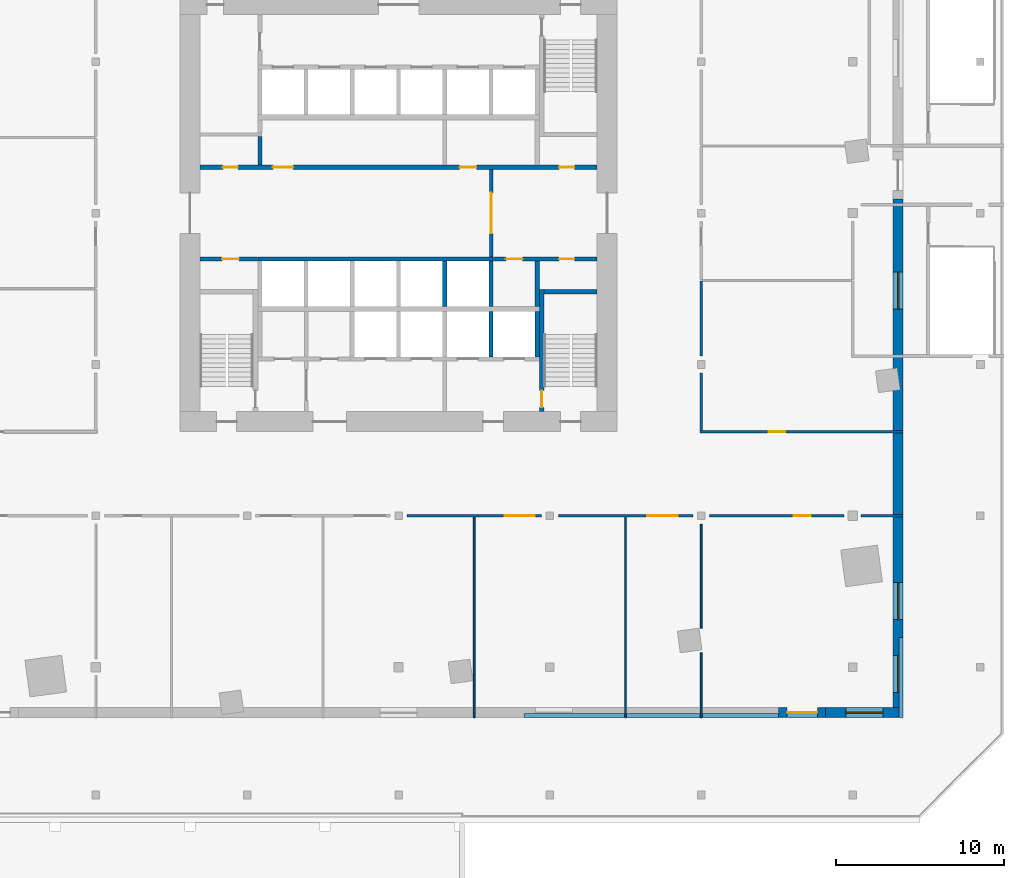
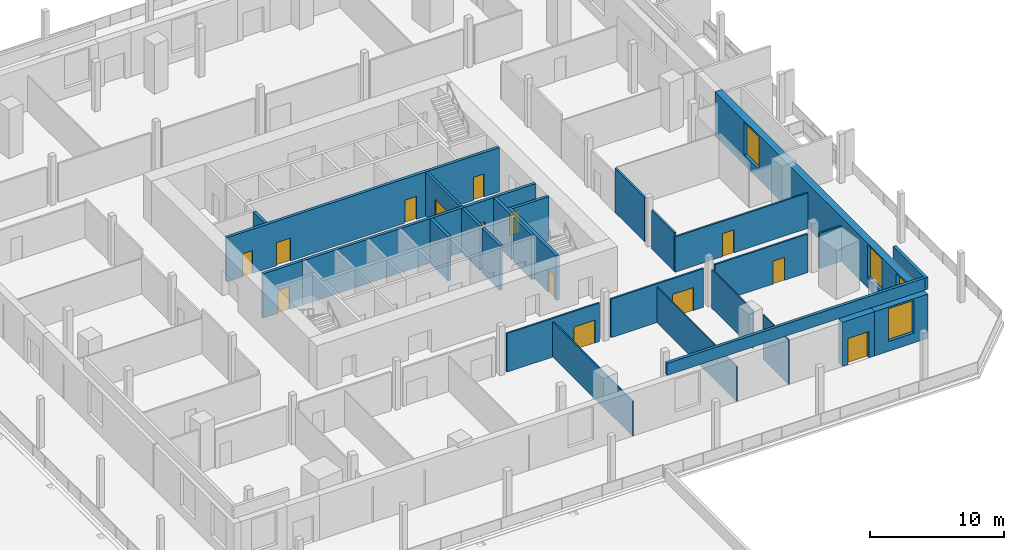
# One storey, part 4 of 12: 29 walls, 14 doors, 4 windows, 18 openings.
"""IFC4 building model written with IfcOpenShell, lengths in metres."""

from ifc_helpers import new_model, si_unit, direction, frame, frame_2d, origin, place, context, subcontext, project, spatial, rectangle, extrude, material, layer, layer_set, type_object, element, fill, save


model = new_model("IFC4")

# Units and contexts
model_context = context("Model", 3, precision=1e-05, world=origin(), true_north=direction((0.0, 1.0)))
body_context = subcontext(model_context, "Body", "Model", "MODEL_VIEW")
ifc_project = project(units=[si_unit("LENGTHUNIT", "METRE"), si_unit("AREAUNIT", "SQUARE_METRE"), si_unit("VOLUMEUNIT", "CUBIC_METRE"), si_unit("PLANEANGLEUNIT", "RADIAN"), si_unit("MASSUNIT", "GRAM", prefix="KILO")], contexts=[model_context])

# Site, building, storey
site_placement = place(None, origin())
site = spatial("IfcSite", under=ifc_project, at=site_placement, CompositionType="ELEMENT")
building_placement = place(site_placement, origin())
building = spatial("IfcBuilding", under=site, at=building_placement, Name="Dilmun Exchange Tower", CompositionType="ELEMENT")
storey_placement = place(building_placement, frame((0.0, 0.0, 18.0)))
storey = spatial("IfcBuildingStorey", under=building, at=storey_placement, Name="L04", CompositionType="ELEMENT", Elevation=18.0)

# Wall, opening, door
ifc_material_1 = material(Name="Concrete C40/50", Category="concrete")
ifc_layer_1 = layer(ifc_material_1, 0.199951171875)
ifc_layer_set_1 = layer_set([ifc_layer_1], Name="Concrete C40/50")
wall_type_1 = type_object("IfcWallType", Name="Core partition wall 200", PredefinedType="PARTITIONING", material=ifc_layer_set_1)
wall_1_placement = place(storey_placement, frame((5.5, -2.594970703125, 0.0), z_axis=(0.0, 0.0, 1.0), x_axis=(0.0, 1.0, 0.0)))
wall_1 = element("IfcWall", 1, at=wall_1_placement, inside=storey, type_object=wall_type_1, Name="L04 core partition wall 09", PredefinedType="PARTITIONING", context=body_context, shape_type="SweptSolid", body=[
    extrude(rectangle(XDim=5.18994140625, YDim=0.199951171875, at=frame_2d((2.594970703125, 0.0))), origin(), (0.0, 0.0, 1.0), 4.050048828125),
])
opening_1_placement = place(wall_1_placement, frame((1.39501953125, 0.0, 0.0)))
opening_1 = element("IfcOpeningElement", 2, at=opening_1_placement, cuts=wall_1, Name="Opening CD1", PredefinedType="OPENING", context=body_context, shape_type="SweptSolid", body=[
    extrude(rectangle(XDim=2.39990234375, YDim=2.39990234375, at=frame_2d((1.199951171875, 1.199951171875))), frame((0.0, 0.10986328125, 0.0), z_axis=(0.0, -1.0, 0.0), x_axis=(1.0, 0.0, 0.0)), (0.0, 0.0, 1.0), 0.219970703125),
])
ifc_material_2 = material(Name="Fire-rated steel door set", Category="steel")
door_type_1 = type_object("IfcDoorType", Name="Core lobby door 2400x2400", OperationType="DOUBLE_DOOR_DOUBLE_SWING", PredefinedType="DOOR", material=ifc_material_2)
door_1_placement = place(opening_1_placement, origin())
door_1 = element("IfcDoor", 3, at=door_1_placement, inside=storey, type_object=door_type_1, Name="L04 door Lift lobby east", OperationType="SINGLE_SWING_LEFT", OverallHeight=2.39990234375, OverallWidth=2.39990234375, PredefinedType="DOOR", context=body_context, shape_type="SweptSolid", body=[
    extrude(rectangle(XDim=2.39990234375, YDim=2.39990234375, at=frame_2d((1.199951171875, 1.199951171875))), frame((0.0, 0.02490234375, 0.0), z_axis=(0.0, -1.0, 0.0), x_axis=(1.0, 0.0, 0.0)), (0.0, 0.0, 1.0), 0.050048828125),
])
fill(opening_1, door_1)

# Wall
ifc_layer_2 = layer(ifc_material_1, 0.25)
ifc_layer_set_2 = layer_set([ifc_layer_2], Name="Concrete C40/50")
wall_type_2 = type_object("IfcWallType", Name="Core partition wall 250", PredefinedType="PARTITIONING", material=ifc_layer_set_2)
wall_2_placement = place(storey_placement, frame((8.25, -5.544921875, 0.0), z_axis=(0.0, 0.0, 1.0), x_axis=(0.0, 1.0, 0.0)))
element("IfcWall", 4, at=wall_2_placement, inside=storey, type_object=wall_type_2, Name="L04 core partition wall 06", PredefinedType="PARTITIONING", context=body_context, shape_type="SweptSolid", body=[
    extrude(rectangle(XDim=2.68994140625, YDim=0.25, at=frame_2d((1.344970703125, 0.0))), origin(), (0.0, 0.0, 1.0), 4.050048828125),
])

# Wall, opening, door
wall_3_placement = place(storey_placement, frame((-11.794921875, -2.72509765625, 0.0), z_axis=(0.0, 0.0, 1.0), x_axis=(1.0, 0.0, 0.0)))
wall_3 = element("IfcWall", 5, at=wall_3_placement, inside=storey, type_object=wall_type_2, Name="L04 core partition wall 07", PredefinedType="PARTITIONING", context=body_context, shape_type="SweptSolid", body=[
    extrude(rectangle(XDim=3.4150390625, YDim=0.25, at=frame_2d((1.70751953125, 0.0))), origin(), (0.0, 0.0, 1.0), 4.050048828125),
])
opening_2_placement = place(wall_3_placement, frame((1.294921875, 0.0, 0.0)))
opening_2 = element("IfcOpeningElement", 6, at=opening_2_placement, cuts=wall_3, Name="Opening CD4", PredefinedType="OPENING", context=body_context, shape_type="SweptSolid", body=[
    extrude(rectangle(XDim=1.0, YDim=2.10009765625, at=frame_2d((0.5, 1.050048828125))), frame((0.0, 0.135009765625, 0.0), z_axis=(0.0, -1.0, 0.0), x_axis=(1.0, 0.0, 0.0)), (0.0, 0.0, 1.0), 0.27001953125),
])
door_type_2 = type_object("IfcDoorType", Name="Core room door 1000x2100", OperationType="SINGLE_SWING_LEFT", PredefinedType="DOOR", material=ifc_material_2)
door_2_placement = place(opening_2_placement, origin())
door_2 = element("IfcDoor", 7, at=door_2_placement, inside=storey, type_object=door_type_2, Name="L04 door Accessible WC", OperationType="SINGLE_SWING_LEFT", OverallHeight=2.10009765625, OverallWidth=1.0, PredefinedType="DOOR", context=body_context, shape_type="SweptSolid", body=[
    extrude(rectangle(XDim=1.0, YDim=2.10009765625, at=frame_2d((0.5, 1.050048828125))), frame((0.0, 0.02490234375, 0.0), z_axis=(0.0, -1.0, 0.0), x_axis=(1.0, 0.0, 0.0)), (0.0, 0.0, 1.0), 0.050048828125),
])
fill(opening_2, door_2)

# Wall, openings, doors
wall_4_placement = place(storey_placement, frame((5.6298828125, -2.72509765625, 0.0), z_axis=(0.0, 0.0, 1.0), x_axis=(1.0, 0.0, 0.0)))
wall_4 = element("IfcWall", 8, at=wall_4_placement, inside=storey, type_object=wall_type_2, Name="L04 core partition wall 08", PredefinedType="PARTITIONING", context=body_context, shape_type="SweptSolid", body=[
    extrude(rectangle(XDim=6.1650390625, YDim=0.25, at=frame_2d((3.08251953125, 0.0))), origin(), (0.0, 0.0, 1.0), 4.050048828125),
])
opening_3_placement = place(wall_4_placement, frame((0.7451171875, 0.0, 0.0)))
opening_3 = element("IfcOpeningElement", 9, at=opening_3_placement, cuts=wall_4, Name="Opening CD4", PredefinedType="OPENING", context=body_context, shape_type="SweptSolid", body=[
    extrude(rectangle(XDim=1.0, YDim=2.10009765625, at=frame_2d((0.5, 1.050048828125))), frame((0.0, 0.135009765625, 0.0), z_axis=(0.0, -1.0, 0.0), x_axis=(1.0, 0.0, 0.0)), (0.0, 0.0, 1.0), 0.27001953125),
])
opening_4_placement = place(wall_4_placement, frame((3.919921875, 0.0, 0.0)))
opening_4 = element("IfcOpeningElement", 10, at=opening_4_placement, cuts=wall_4, Name="Opening CD6", PredefinedType="OPENING", context=body_context, shape_type="SweptSolid", body=[
    extrude(rectangle(XDim=0.89990234375, YDim=2.10009765625, at=frame_2d((0.449951171875, 1.050048828125))), frame((0.0, 0.135009765625, 0.0), z_axis=(0.0, -1.0, 0.0), x_axis=(1.0, 0.0, 0.0)), (0.0, 0.0, 1.0), 0.27001953125),
])
door_3_placement = place(opening_3_placement, origin())
door_3 = element("IfcDoor", 11, at=door_3_placement, inside=storey, type_object=door_type_2, Name="L04 door Cleaners' store", OperationType="SINGLE_SWING_LEFT", OverallHeight=2.10009765625, OverallWidth=1.0, PredefinedType="DOOR", context=body_context, shape_type="SweptSolid", body=[
    extrude(rectangle(XDim=1.0, YDim=2.10009765625, at=frame_2d((0.5, 1.050048828125))), frame((0.0, 0.02490234375, 0.0), z_axis=(0.0, -1.0, 0.0), x_axis=(1.0, 0.0, 0.0)), (0.0, 0.0, 1.0), 0.050048828125),
])
fill(opening_3, door_3)
door_type_3 = type_object("IfcDoorType", Name="Core room door 900x2100", OperationType="SINGLE_SWING_LEFT", PredefinedType="DOOR", material=ifc_material_2)
door_4_placement = place(opening_4_placement, origin())
door_4 = element("IfcDoor", 12, at=door_4_placement, inside=storey, type_object=door_type_3, Name="L04 door Comms riser", OperationType="SINGLE_SWING_LEFT", OverallHeight=2.10009765625, OverallWidth=0.89990234375, PredefinedType="DOOR", context=body_context, shape_type="SweptSolid", body=[
    extrude(rectangle(XDim=0.89990234375, YDim=2.10009765625, at=frame_2d((0.449951171875, 1.050048828125))), frame((0.0, 0.02490234375, 0.0), z_axis=(0.0, -1.0, 0.0), x_axis=(1.0, 0.0, 0.0)), (0.0, 0.0, 1.0), 0.050048828125),
])
fill(opening_4, door_4)

wall_5_placement = place(storey_placement, frame((-11.794921875, 2.72509765625, 0.0), z_axis=(0.0, 0.0, 1.0), x_axis=(1.0, 0.0, 0.0)))
wall_5 = element("IfcWall", 13, at=wall_5_placement, inside=storey, type_object=wall_type_2, Name="L04 core partition wall 10", PredefinedType="PARTITIONING", context=body_context, shape_type="SweptSolid", body=[
    extrude(rectangle(XDim=23.58984375, YDim=0.25, at=frame_2d((11.794921875, 0.0))), origin(), (0.0, 0.0, 1.0), 4.050048828125),
])
opening_5_placement = place(wall_5_placement, frame((21.344970703125, 0.0, 0.0)))
opening_5 = element("IfcOpeningElement", 14, at=opening_5_placement, cuts=wall_5, Name="Opening CD6", PredefinedType="OPENING", context=body_context, shape_type="SweptSolid", body=[
    extrude(rectangle(XDim=0.89990234375, YDim=2.10009765625, at=frame_2d((0.449951171875, 1.050048828125))), frame((0.0, 0.135009765625, 0.0), z_axis=(0.0, -1.0, 0.0), x_axis=(1.0, 0.0, 0.0)), (0.0, 0.0, 1.0), 0.27001953125),
])
opening_6_placement = place(wall_5_placement, frame((1.344970703125, 0.0, 0.0)))
opening_6 = element("IfcOpeningElement", 15, at=opening_6_placement, cuts=wall_5, Name="Opening CD6", PredefinedType="OPENING", context=body_context, shape_type="SweptSolid", body=[
    extrude(rectangle(XDim=0.89990234375, YDim=2.10009765625, at=frame_2d((0.449951171875, 1.050048828125))), frame((0.0, 0.135009765625, 0.0), z_axis=(0.0, -1.0, 0.0), x_axis=(1.0, 0.0, 0.0)), (0.0, 0.0, 1.0), 0.27001953125),
])
opening_7_placement = place(wall_5_placement, frame((4.320068359375, 0.0, 0.0)))
opening_7 = element("IfcOpeningElement", 16, at=opening_7_placement, cuts=wall_5, Name="Opening CD3", PredefinedType="OPENING", context=body_context, shape_type="SweptSolid", body=[
    extrude(rectangle(XDim=1.199951171875, YDim=2.10009765625, at=frame_2d((0.60009765625, 1.050048828125))), frame((0.0, 0.135009765625, 0.0), z_axis=(0.0, -1.0, 0.0), x_axis=(1.0, 0.0, 0.0)), (0.0, 0.0, 1.0), 0.27001953125),
])
opening_8_placement = place(wall_5_placement, frame((15.419921875, 0.0, 0.0)))
opening_8 = element("IfcOpeningElement", 17, at=opening_8_placement, cuts=wall_5, Name="Opening CD4", PredefinedType="OPENING", context=body_context, shape_type="SweptSolid", body=[
    extrude(rectangle(XDim=1.0, YDim=2.10009765625, at=frame_2d((0.5, 1.050048828125))), frame((0.0, 0.135009765625, 0.0), z_axis=(0.0, -1.0, 0.0), x_axis=(1.0, 0.0, 0.0)), (0.0, 0.0, 1.0), 0.27001953125),
])
door_5_placement = place(opening_8_placement, origin())
door_5 = element("IfcDoor", 18, at=door_5_placement, inside=storey, type_object=door_type_2, Name="L04 door Archive store", OperationType="SINGLE_SWING_LEFT", OverallHeight=2.10009765625, OverallWidth=1.0, PredefinedType="DOOR", context=body_context, shape_type="SweptSolid", body=[
    extrude(rectangle(XDim=1.0, YDim=2.10009765625, at=frame_2d((0.5, 1.050048828125))), frame((0.0, 0.02490234375, 0.0), z_axis=(0.0, -1.0, 0.0), x_axis=(1.0, 0.0, 0.0)), (0.0, 0.0, 1.0), 0.050048828125),
])
fill(opening_8, door_5)
door_6_placement = place(opening_5_placement, origin())
door_6 = element("IfcDoor", 19, at=door_6_placement, inside=storey, type_object=door_type_3, Name="L04 door Electrical riser", OperationType="SINGLE_SWING_LEFT", OverallHeight=2.10009765625, OverallWidth=0.89990234375, PredefinedType="DOOR", context=body_context, shape_type="SweptSolid", body=[
    extrude(rectangle(XDim=0.89990234375, YDim=2.10009765625, at=frame_2d((0.449951171875, 1.050048828125))), frame((0.0, 0.02490234375, 0.0), z_axis=(0.0, -1.0, 0.0), x_axis=(1.0, 0.0, 0.0)), (0.0, 0.0, 1.0), 0.050048828125),
])
fill(opening_5, door_6)
door_7_placement = place(opening_6_placement, origin())
door_7 = element("IfcDoor", 20, at=door_7_placement, inside=storey, type_object=door_type_3, Name="L04 door Plumbing riser", OperationType="SINGLE_SWING_LEFT", OverallHeight=2.10009765625, OverallWidth=0.89990234375, PredefinedType="DOOR", context=body_context, shape_type="SweptSolid", body=[
    extrude(rectangle(XDim=0.89990234375, YDim=2.10009765625, at=frame_2d((0.449951171875, 1.050048828125))), frame((0.0, 0.02490234375, 0.0), z_axis=(0.0, -1.0, 0.0), x_axis=(1.0, 0.0, 0.0)), (0.0, 0.0, 1.0), 0.050048828125),
])
fill(opening_6, door_7)
door_type_4 = type_object("IfcDoorType", Name="Stair exit door 1200x2100", OperationType="SINGLE_SWING_LEFT", PredefinedType="DOOR", material=ifc_material_2)
door_8_placement = place(opening_7_placement, origin())
door_8 = element("IfcDoor", 21, at=door_8_placement, inside=storey, type_object=door_type_4, Name="L04 door Tenant meeting suite", OperationType="SINGLE_SWING_LEFT", OverallHeight=2.10009765625, OverallWidth=1.199951171875, PredefinedType="DOOR", context=body_context, shape_type="SweptSolid", body=[
    extrude(rectangle(XDim=1.199951171875, YDim=2.10009765625, at=frame_2d((0.60009765625, 1.050048828125))), frame((0.0, 0.02490234375, 0.0), z_axis=(0.0, -1.0, 0.0), x_axis=(1.0, 0.0, 0.0)), (0.0, 0.0, 1.0), 0.050048828125),
])
fill(opening_7, door_8)

# Wall
wall_6_placement = place(storey_placement, frame((-8.25, 2.85498046875, 0.0), z_axis=(0.0, 0.0, 1.0), x_axis=(0.0, 1.0, 0.0)))
element("IfcWall", 22, at=wall_6_placement, inside=storey, type_object=wall_type_2, Name="L04 core partition wall 11", PredefinedType="PARTITIONING", context=body_context, shape_type="SweptSolid", body=[
    extrude(rectangle(XDim=1.715087890625, YDim=0.25, at=frame_2d((0.857421875, 0.0))), origin(), (0.0, 0.0, 1.0), 4.050048828125),
])

# Wall, opening, door
ifc_material_3 = material(Name="Fire partition EI 60 150 gypsum")
ifc_layer_3 = layer(ifc_material_3, 0.14990234375)
ifc_layer_set_3 = layer_set([ifc_layer_3], Name="Fire partition EI 60 150 gypsum")
wall_type_3 = type_object("IfcWallType", Name="Fire partition EI 60 150 gypsum", PredefinedType="PARTITIONING", material=ifc_layer_set_3)
wall_7_placement = place(storey_placement, frame((0.5, -18.0, 0.0), z_axis=(0.0, 0.0, 1.0), x_axis=(1.0, 0.0, 0.0)))
wall_7 = element("IfcWall", 23, at=wall_7_placement, inside=storey, type_object=wall_type_3, Name="L04 partition", PredefinedType="PARTITIONING", context=body_context, shape_type="SweptSolid", body=[
    extrude(rectangle(XDim=8.0, YDim=0.14990234375, at=frame_2d((4.0, 0.0))), origin(), (0.0, 0.0, 1.0), 3.530029296875),
])
opening_9_placement = place(wall_7_placement, frame((5.800048828125, 0.0, 0.0)))
opening_9 = element("IfcOpeningElement", 24, at=opening_9_placement, cuts=wall_7, Name="Opening L04-D022", PredefinedType="OPENING", context=body_context, shape_type="SweptSolid", body=[
    extrude(rectangle(XDim=1.800048828125, YDim=2.10009765625, at=frame_2d((0.89990234375, 1.050048828125))), frame((0.0, 0.0849609375, 0.0), z_axis=(0.0, -1.0, 0.0), x_axis=(1.0, 0.0, 0.0)), (0.0, 0.0, 1.0), 0.169921875),
])
ifc_material_4 = material(Name="Fire door FD60 double 1800 x 2100")
door_type_5 = type_object("IfcDoorType", Name="Fire door FD60 double 1800 x 2100", OperationType="DOUBLE_DOOR_SINGLE_SWING", PredefinedType="DOOR", material=ifc_material_4)
door_9_placement = place(opening_9_placement, origin())
door_9 = element("IfcDoor", 25, at=door_9_placement, inside=storey, type_object=door_type_5, Name="L04 door L04-D022", OperationType="DOUBLE_DOOR_SINGLE_SWING", OverallHeight=2.10009765625, OverallWidth=1.800048828125, PredefinedType="DOOR", context=body_context, shape_type="SweptSolid", body=[
    extrude(rectangle(XDim=1.800048828125, YDim=2.10009765625, at=frame_2d((0.89990234375, 1.050048828125))), frame((0.0, 0.02490234375, 0.0), z_axis=(0.0, -1.0, 0.0), x_axis=(1.0, 0.0, 0.0)), (0.0, 0.0, 1.0), 0.050048828125),
])
fill(opening_9, door_9)

wall_8_placement = place(storey_placement, frame((9.5, -18.0, 0.0), z_axis=(0.0, 0.0, 1.0), x_axis=(1.0, 0.0, 0.0)))
wall_8 = element("IfcWall", 26, at=wall_8_placement, inside=storey, type_object=wall_type_3, Name="L04 partition", PredefinedType="PARTITIONING", context=body_context, shape_type="SweptSolid", body=[
    extrude(rectangle(XDim=8.0, YDim=0.14990234375, at=frame_2d((4.0, 0.0))), origin(), (0.0, 0.0, 1.0), 3.530029296875),
])
opening_10_placement = place(wall_8_placement, frame((5.300048828125, 0.0, 0.0)))
opening_10 = element("IfcOpeningElement", 27, at=opening_10_placement, cuts=wall_8, Name="Opening L04-D012", PredefinedType="OPENING", context=body_context, shape_type="SweptSolid", body=[
    extrude(rectangle(XDim=1.800048828125, YDim=2.10009765625, at=frame_2d((0.89990234375, 1.050048828125))), frame((0.0, 0.0849609375, 0.0), z_axis=(0.0, -1.0, 0.0), x_axis=(1.0, 0.0, 0.0)), (0.0, 0.0, 1.0), 0.169921875),
])
door_10_placement = place(opening_10_placement, origin())
door_10 = element("IfcDoor", 28, at=door_10_placement, inside=storey, type_object=door_type_5, Name="L04 door L04-D012", OperationType="DOUBLE_DOOR_SINGLE_SWING", OverallHeight=2.10009765625, OverallWidth=1.800048828125, PredefinedType="DOOR", context=body_context, shape_type="SweptSolid", body=[
    extrude(rectangle(XDim=1.800048828125, YDim=2.10009765625, at=frame_2d((0.89990234375, 1.050048828125))), frame((0.0, 0.02490234375, 0.0), z_axis=(0.0, -1.0, 0.0), x_axis=(1.0, 0.0, 0.0)), (0.0, 0.0, 1.0), 0.050048828125),
])
fill(opening_10, door_10)

wall_9_placement = place(storey_placement, frame((18.5, -18.0, 0.0), z_axis=(0.0, 0.0, 1.0), x_axis=(1.0, 0.0, 0.0)))
wall_9 = element("IfcWall", 29, at=wall_9_placement, inside=storey, type_object=wall_type_3, Name="L04 partition", PredefinedType="PARTITIONING", context=body_context, shape_type="SweptSolid", body=[
    extrude(rectangle(XDim=8.0, YDim=0.14990234375, at=frame_2d((4.0, 0.0))), origin(), (0.0, 0.0, 1.0), 3.530029296875),
])
opening_11_placement = place(wall_9_placement, frame((5.0, 0.0, 0.0)))
opening_11 = element("IfcOpeningElement", 30, at=opening_11_placement, cuts=wall_9, Name="Opening L04-D013", PredefinedType="OPENING", context=body_context, shape_type="SweptSolid", body=[
    extrude(rectangle(XDim=1.0, YDim=2.10009765625, at=frame_2d((0.5, 1.050048828125))), frame((0.0, 0.0849609375, 0.0), z_axis=(0.0, -1.0, 0.0), x_axis=(1.0, 0.0, 0.0)), (0.0, 0.0, 1.0), 0.169921875),
])
ifc_material_5 = material(Name="Fire door FD60 1000 x 2100")
door_type_6 = type_object("IfcDoorType", Name="Fire door FD60 1000 x 2100", OperationType="SINGLE_SWING_LEFT", PredefinedType="DOOR", material=ifc_material_5)
door_11_placement = place(opening_11_placement, origin())
door_11 = element("IfcDoor", 31, at=door_11_placement, inside=storey, type_object=door_type_6, Name="L04 door L04-D013", OperationType="SINGLE_SWING_LEFT", OverallHeight=2.10009765625, OverallWidth=1.0, PredefinedType="DOOR", context=body_context, shape_type="SweptSolid", body=[
    extrude(rectangle(XDim=1.0, YDim=2.10009765625, at=frame_2d((0.5, 1.050048828125))), frame((0.0, 0.02490234375, 0.0), z_axis=(0.0, -1.0, 0.0), x_axis=(1.0, 0.0, 0.0)), (0.0, 0.0, 1.0), 0.050048828125),
])
fill(opening_11, door_11)

# Wall
wall_10_placement = place(storey_placement, frame((27.5, -18.0, 0.0), z_axis=(0.0, 0.0, 1.0), x_axis=(1.0, 0.0, 0.0)))
element("IfcWall", 32, at=wall_10_placement, inside=storey, type_object=wall_type_3, Name="L04 partition", PredefinedType="PARTITIONING", context=body_context, shape_type="SweptSolid", body=[
    extrude(rectangle(XDim=2.5, YDim=0.14990234375, at=frame_2d((1.25, 0.0))), origin(), (0.0, 0.0, 1.0), 3.22998046875),
])

# Wall, opening, door
wall_11_placement = place(storey_placement, frame((17.925048828125, -13.0, 0.0), z_axis=(0.0, 0.0, 1.0), x_axis=(1.0, 0.0, 0.0)))
wall_11 = element("IfcWall", 33, at=wall_11_placement, inside=storey, type_object=wall_type_3, Name="L04 partition", PredefinedType="PARTITIONING", context=body_context, shape_type="SweptSolid", body=[
    extrude(rectangle(XDim=12.074951171875, YDim=0.14990234375, at=frame_2d((6.03759765625, 0.0))), origin(), (0.0, 0.0, 1.0), 3.22998046875),
])
opening_12_placement = place(wall_11_placement, frame((4.074951171875, 0.0, 0.0)))
opening_12 = element("IfcOpeningElement", 34, at=opening_12_placement, cuts=wall_11, Name="Opening L04-D017", PredefinedType="OPENING", context=body_context, shape_type="SweptSolid", body=[
    extrude(rectangle(XDim=1.0, YDim=2.10009765625, at=frame_2d((0.5, 1.050048828125))), frame((0.0, 0.0849609375, 0.0), z_axis=(0.0, -1.0, 0.0), x_axis=(1.0, 0.0, 0.0)), (0.0, 0.0, 1.0), 0.169921875),
])
door_12_placement = place(opening_12_placement, origin())
door_12 = element("IfcDoor", 35, at=door_12_placement, inside=storey, type_object=door_type_6, Name="L04 door L04-D017", OperationType="SINGLE_SWING_LEFT", OverallHeight=2.10009765625, OverallWidth=1.0, PredefinedType="DOOR", context=body_context, shape_type="SweptSolid", body=[
    extrude(rectangle(XDim=1.0, YDim=2.10009765625, at=frame_2d((0.5, 1.050048828125))), frame((0.0, 0.02490234375, 0.0), z_axis=(0.0, -1.0, 0.0), x_axis=(1.0, 0.0, 0.0)), (0.0, 0.0, 1.0), 0.050048828125),
])
fill(opening_12, door_12)

# Walls
wall_12_placement = place(storey_placement, frame((18.0, -12.925048828125, 0.0), z_axis=(0.0, 0.0, 1.0), x_axis=(0.0, 1.0, 0.0)))
element("IfcWall", 36, at=wall_12_placement, inside=storey, type_object=wall_type_3, Name="L04 partition", PredefinedType="PARTITIONING", context=body_context, shape_type="SweptSolid", body=[
    extrude(rectangle(XDim=3.425048828125, YDim=0.14990234375, at=frame_2d((1.71240234375, 0.0))), origin(), (0.0, 0.0, 1.0), 3.530029296875),
])
wall_13_placement = place(storey_placement, frame((18.0, -8.5, 0.0), z_axis=(0.0, 0.0, 1.0), x_axis=(0.0, 1.0, 0.0)))
element("IfcWall", 37, at=wall_13_placement, inside=storey, type_object=wall_type_3, Name="L04 partition", PredefinedType="PARTITIONING", context=body_context, shape_type="SweptSolid", body=[
    extrude(rectangle(XDim=4.449951171875, YDim=0.14990234375, at=frame_2d((2.22509765625, 0.0))), origin(), (0.0, 0.0, 1.0), 4.050048828125),
])
ifc_layer_4 = layer(ifc_material_1, 0.25)
ifc_layer_set_4 = layer_set([ifc_layer_4], Name="Concrete C40/50")
wall_type_4 = type_object("IfcWallType", Name="Lift shaft wall 250", PredefinedType="SOLIDWALL", material=ifc_layer_set_4)
wall_14_placement = place(storey_placement, frame((-8.375, -2.72509765625, 0.0), z_axis=(0.0, 0.0, 1.0), x_axis=(1.0, 0.0, 0.0)))
element("IfcWall", 38, at=wall_14_placement, inside=storey, type_object=wall_type_4, Name="L04 lift shaft front wall S1", PredefinedType="SOLIDWALL", context=body_context, shape_type="SweptSolid", body=[
    extrude(rectangle(XDim=14.0, YDim=0.25, at=frame_2d((7.0, 0.0))), origin(), (0.0, 0.0, 1.0), 4.050048828125),
])
for number, where, z_axis, x_axis, name in (
    (39, (2.75, -5.550048828125, 0.0), (0.0, 0.0, 1.0), (0.0, 1.0, 0.0), "L04 lift shaft divider S14"),
    (40, (5.5, -5.550048828125, 0.0), (0.0, 0.0, 1.0), (0.0, 1.0, 0.0), "L04 lift shaft divider S15"),
    (41, (5.5, -8.550048828125, 0.0), (0.0, 0.0, 1.0), (0.0, 1.0, 0.0), "L04 lift shaft divider S25"),
    (42, (8.25, -8.550048828125, 0.0), (0.0, 0.0, 1.0), (0.0, 1.0, 0.0), "L04 lift shaft divider S26"),
):
    element("IfcWall", number, at=place(storey_placement, frame(where, z_axis=z_axis, x_axis=x_axis)), inside=storey, type_object=wall_type_4, Name=name, PredefinedType="SOLIDWALL", context=body_context, shape_type="SweptSolid", body=[
        extrude(rectangle(XDim=2.699951171875, YDim=0.25, at=frame_2d((1.35009765625, 0.0))), origin(), (0.0, 0.0, 1.0), 4.050048828125),
    ])
ifc_material_6 = material(Name="Partition 100 gypsum")
ifc_layer_5 = layer(ifc_material_6, 0.10009765625)
ifc_layer_set_5 = layer_set([ifc_layer_5], Name="Partition 100 gypsum")
wall_type_5 = type_object("IfcWallType", Name="Partition 100 gypsum", PredefinedType="PARTITIONING", material=ifc_layer_set_5)
for number, where, z_axis, x_axis, name in (
    (43, (4.5, -30.0, 0.0), (0.0, 0.0, 1.0), (0.0, 1.0, 0.0), "L04 partition"),
    (44, (13.5, -30.0, 0.0), (0.0, 0.0, 1.0), (0.0, 1.0, 0.0), "L04 partition"),
):
    element("IfcWall", number, at=place(storey_placement, frame(where, z_axis=z_axis, x_axis=x_axis)), inside=storey, type_object=wall_type_5, Name=name, PredefinedType="PARTITIONING", context=body_context, shape_type="SweptSolid", body=[
        extrude(rectangle(XDim=11.925048828125, YDim=0.10009765625, at=frame_2d((5.96240234375, 0.0))), origin(), (0.0, 0.0, 1.0), 3.22998046875),
    ])
wall_15_placement = place(storey_placement, frame((18.0, -30.0, 0.0), z_axis=(0.0, 0.0, 1.0), x_axis=(0.0, 1.0, 0.0)))
element("IfcWall", 45, at=wall_15_placement, inside=storey, type_object=wall_type_5, Name="L04 partition", PredefinedType="PARTITIONING", context=body_context, shape_type="SweptSolid", body=[
    extrude(rectangle(XDim=3.856689453125, YDim=0.10009765625, at=frame_2d((1.92822265625, 0.0))), origin(), (0.0, 0.0, 1.0), 4.050048828125),
])
wall_16_placement = place(storey_placement, frame((18.0, -24.680908203125, 0.0), z_axis=(0.0, 0.0, 1.0), x_axis=(0.0, 1.0, 0.0)))
element("IfcWall", 46, at=wall_16_placement, inside=storey, type_object=wall_type_5, Name="L04 partition", PredefinedType="PARTITIONING", context=body_context, shape_type="SweptSolid", body=[
    extrude(rectangle(XDim=6.180908203125, YDim=0.10009765625, at=frame_2d((3.09033203125, 0.0))), origin(), (0.0, 0.0, 1.0), 3.530029296875),
])

# Wall, openings, windows
ifc_material_7 = material(Name="Precast concrete C50/60", Category="concrete")
ifc_layer_6 = layer(ifc_material_7, 0.60009765625)
ifc_layer_set_6 = layer_set([ifc_layer_6], Name="Precast concrete C50/60")
wall_type_6 = type_object("IfcWallType", Name="Precast stone-clad wall 600", PredefinedType="STANDARD", material=ifc_layer_set_6)
wall_17_placement = place(storey_placement, frame((29.699951171875, -29.39990234375, 0.0), z_axis=(0.0, 0.0, 1.0), x_axis=(0.0, 1.0, 0.0)))
wall_17 = element("IfcWall", 47, at=wall_17_placement, inside=storey, type_object=wall_type_6, Name="Facade wall L04-00-0", PredefinedType="STANDARD", context=body_context, shape_type="SweptSolid", body=[
    extrude(rectangle(XDim=30.25, YDim=0.60009765625, at=frame_2d((15.125, 0.0))), origin(), (0.0, 0.0, 1.0), 4.050048828125),
])
opening_13_placement = place(wall_17_placement, frame((0.90771484375, 0.0, 0.89990234375)))
opening_13 = element("IfcOpeningElement", 48, at=opening_13_placement, cuts=wall_17, Name="Opening W220-300", PredefinedType="OPENING", context=body_context, shape_type="SweptSolid", body=[
    extrude(rectangle(XDim=2.199951171875, YDim=3.0, at=frame_2d((1.10009765625, 1.5))), frame((0.0, 0.31005859375, 0.0), z_axis=(0.0, -1.0, 0.0), x_axis=(1.0, 0.0, 0.0)), (0.0, 0.0, 1.0), 0.6201171875),
])
opening_14_placement = place(wall_17_placement, frame((5.22314453125, 0.0, 0.89990234375)))
opening_14 = element("IfcOpeningElement", 49, at=opening_14_placement, cuts=wall_17, Name="Opening W220-300", PredefinedType="OPENING", context=body_context, shape_type="SweptSolid", body=[
    extrude(rectangle(XDim=2.199951171875, YDim=3.0, at=frame_2d((1.10009765625, 1.5))), frame((0.0, 0.31005859375, 0.0), z_axis=(0.0, -1.0, 0.0), x_axis=(1.0, 0.0, 0.0)), (0.0, 0.0, 1.0), 0.6201171875),
])
opening_15_placement = place(wall_17_placement, frame((23.6845703125, 0.0, 0.89990234375)))
opening_15 = element("IfcOpeningElement", 50, at=opening_15_placement, cuts=wall_17, Name="Opening W220-300", PredefinedType="OPENING", context=body_context, shape_type="SweptSolid", body=[
    extrude(rectangle(XDim=2.199951171875, YDim=3.0, at=frame_2d((1.10009765625, 1.5))), frame((0.0, 0.31005859375, 0.0), z_axis=(0.0, -1.0, 0.0), x_axis=(1.0, 0.0, 0.0)), (0.0, 0.0, 1.0), 0.6201171875),
])
ifc_material_8 = material(Name="Clear low-emissivity glass in aluminium frame", Category="aluminium")
window_type = type_object("IfcWindowType", Name="Punched window 2200 x 3000", PartitioningType="DOUBLE_PANEL_VERTICAL", PredefinedType="WINDOW", material=ifc_material_8)
window_1_placement = place(opening_13_placement, origin())
window_1 = element("IfcWindow", 51, at=window_1_placement, inside=storey, type_object=window_type, Name="Window 1.1", OverallHeight=3.0, OverallWidth=2.199951171875, PartitioningType="SINGLE_PANEL", PredefinedType="WINDOW", context=body_context, shape_type="SweptSolid", body=[
    extrude(rectangle(XDim=2.199951171875, YDim=3.0, at=frame_2d((1.10009765625, 1.5))), frame((0.0, 0.030029296875, 0.0), z_axis=(0.0, -1.0, 0.0), x_axis=(1.0, 0.0, 0.0)), (0.0, 0.0, 1.0), 0.06005859375),
])
fill(opening_13, window_1)
window_2_placement = place(opening_14_placement, origin())
window_2 = element("IfcWindow", 52, at=window_2_placement, inside=storey, type_object=window_type, Name="Window 1.2", OverallHeight=3.0, OverallWidth=2.199951171875, PartitioningType="SINGLE_PANEL", PredefinedType="WINDOW", context=body_context, shape_type="SweptSolid", body=[
    extrude(rectangle(XDim=2.199951171875, YDim=3.0, at=frame_2d((1.10009765625, 1.5))), frame((0.0, 0.030029296875, 0.0), z_axis=(0.0, -1.0, 0.0), x_axis=(1.0, 0.0, 0.0)), (0.0, 0.0, 1.0), 0.06005859375),
])
fill(opening_14, window_2)
window_3_placement = place(opening_15_placement, origin())
window_3 = element("IfcWindow", 53, at=window_3_placement, inside=storey, type_object=window_type, Name="Window 1.6", OverallHeight=3.0, OverallWidth=2.199951171875, PartitioningType="SINGLE_PANEL", PredefinedType="WINDOW", context=body_context, shape_type="SweptSolid", body=[
    extrude(rectangle(XDim=2.199951171875, YDim=3.0, at=frame_2d((1.10009765625, 1.5))), frame((0.0, 0.030029296875, 0.0), z_axis=(0.0, -1.0, 0.0), x_axis=(1.0, 0.0, 0.0)), (0.0, 0.0, 1.0), 0.06005859375),
])
fill(opening_15, window_3)

# Wall, opening, door
wall_18_placement = place(storey_placement, frame((25.39990234375, -29.699951171875, 0.0), z_axis=(0.0, 0.0, 1.0), x_axis=(-1.0, 0.0, 0.0)))
wall_18 = element("IfcWall", 54, at=wall_18_placement, inside=storey, type_object=wall_type_6, Name="Facade wall L04-03-3", PredefinedType="STANDARD", context=body_context, shape_type="SweptSolid", body=[
    extrude(rectangle(XDim=2.7998046875, YDim=0.60009765625, at=frame_2d((1.39990234375, 0.0))), origin(), (0.0, 0.0, 1.0), 4.050048828125),
])
opening_16_placement = place(wall_18_placement, frame((0.5, 0.0, 0.0)))
opening_16 = element("IfcOpeningElement", 55, at=opening_16_placement, cuts=wall_18, Name="Opening TD1", PredefinedType="OPENING", context=body_context, shape_type="SweptSolid", body=[
    extrude(rectangle(XDim=1.800048828125, YDim=2.39990234375, at=frame_2d((0.89990234375, 1.199951171875))), frame((0.0, 0.31005859375, 0.0), z_axis=(0.0, -1.0, 0.0), x_axis=(1.0, 0.0, 0.0)), (0.0, 0.0, 1.0), 0.6201171875),
])
door_type_7 = type_object("IfcDoorType", Name="Glazed terrace door pair 1800 x 2400", OperationType="DOUBLE_DOOR_SINGLE_SWING", PredefinedType="DOOR", material=ifc_material_8)
door_13_placement = place(opening_16_placement, origin())
door_13 = element("IfcDoor", 56, at=door_13_placement, inside=storey, type_object=door_type_7, Name="Door X-T4 terrace", OperationType="DOUBLE_DOOR_SINGLE_SWING", OverallHeight=2.39990234375, OverallWidth=1.800048828125, PredefinedType="DOOR", context=body_context, shape_type="SweptSolid", body=[
    extrude(rectangle(XDim=1.800048828125, YDim=2.39990234375, at=frame_2d((0.89990234375, 1.199951171875))), frame((0.0, 0.02490234375, 0.0), z_axis=(0.0, -1.0, 0.0), x_axis=(1.0, 0.0, 0.0)), (0.0, 0.0, 1.0), 0.050048828125),
])
fill(opening_16, door_13)

# Wall, opening, window
wall_19_placement = place(storey_placement, frame((25.39990234375, -29.699951171875, 0.0), z_axis=(0.0, 0.0, 1.0), x_axis=(1.0, 0.0, 0.0)))
wall_19 = element("IfcWall", 57, at=wall_19_placement, inside=storey, type_object=wall_type_6, Name="Facade wall L04-03-4", PredefinedType="STANDARD", context=body_context, shape_type="SweptSolid", body=[
    extrude(rectangle(XDim=4.60009765625, YDim=0.60009765625, at=frame_2d((2.300048828125, 0.0))), origin(), (0.0, 0.0, 1.0), 4.050048828125),
])
opening_17_placement = place(wall_19_placement, frame((1.1923828125, 0.0, 0.89990234375)))
opening_17 = element("IfcOpeningElement", 58, at=opening_17_placement, cuts=wall_19, Name="Opening W220-300", PredefinedType="OPENING", context=body_context, shape_type="SweptSolid", body=[
    extrude(rectangle(XDim=2.199951171875, YDim=3.0, at=frame_2d((1.10009765625, 1.5))), frame((0.0, 0.31005859375, 0.0), z_axis=(0.0, -1.0, 0.0), x_axis=(1.0, 0.0, 0.0)), (0.0, 0.0, 1.0), 0.6201171875),
])
window_4_placement = place(opening_17_placement, origin())
window_4 = element("IfcWindow", 59, at=window_4_placement, inside=storey, type_object=window_type, Name="Window 4.13", OverallHeight=3.0, OverallWidth=2.199951171875, PartitioningType="SINGLE_PANEL", PredefinedType="WINDOW", context=body_context, shape_type="SweptSolid", body=[
    extrude(rectangle(XDim=2.199951171875, YDim=3.0, at=frame_2d((1.10009765625, 1.5))), frame((0.0, 0.030029296875, 0.0), z_axis=(0.0, -1.0, 0.0), x_axis=(1.0, 0.0, 0.0)), (0.0, 0.0, 1.0), 0.06005859375),
])
fill(opening_17, window_4)

# Walls
ifc_material_9 = material(Name="Precast concrete C40/50", Category="concrete")
ifc_layer_7 = layer(ifc_material_9, 0.25)
ifc_layer_set_7 = layer_set([ifc_layer_7], Name="Precast concrete C40/50")
wall_type_7 = type_object("IfcWallType", Name="Roof parapet 250", PredefinedType="PARAPET", material=ifc_layer_set_7)
wall_20_placement = place(storey_placement, frame((7.453125, -29.875, 4.5), z_axis=(0.0, 0.0, 1.0), x_axis=(1.0, 0.0, 0.0)))
element("IfcWall", 60, at=wall_20_placement, inside=storey, type_object=wall_type_7, Name="Enclosure roof parapet 2", PredefinedType="PARAPET", context=body_context, shape_type="SweptSolid", body=[
    extrude(rectangle(XDim=22.546875, YDim=0.25, at=frame_2d((11.2734375, 0.0))), origin(), (0.0, 0.0, 1.0), 1.10009765625),
])
wall_21_placement = place(storey_placement, frame((29.875, -30.0, 4.5), z_axis=(0.0, 0.0, 1.0), x_axis=(0.0, 1.0, 0.0)))
element("IfcWall", 61, at=wall_21_placement, inside=storey, type_object=wall_type_7, Name="Enclosure roof parapet 3", PredefinedType="PARAPET", context=body_context, shape_type="SweptSolid", body=[
    extrude(rectangle(XDim=4.77490234375, YDim=0.25, at=frame_2d((2.387451171875, 0.0))), origin(), (0.0, 0.0, 1.0), 1.10009765625),
])
ifc_layer_8 = layer(ifc_material_1, 0.25)
ifc_layer_set_8 = layer_set([ifc_layer_8], Name="Concrete C40/50")
wall_type_8 = type_object("IfcWallType", Name="Stair end wall 250", PredefinedType="SOLIDWALL", material=ifc_layer_set_8)
wall_22_placement = place(storey_placement, frame((8.64990234375, -4.675048828125, 0.0), z_axis=(0.0, 0.0, 1.0), x_axis=(1.0, 0.0, 0.0)))
element("IfcWall", 62, at=wall_22_placement, inside=storey, type_object=wall_type_8, Name="L04 ST3 far wall", PredefinedType="SOLIDWALL", context=body_context, shape_type="SweptSolid", body=[
    extrude(rectangle(XDim=3.150146484375, YDim=0.25, at=frame_2d((1.5751953125, 0.0))), origin(), (0.0, 0.0, 1.0), 4.050048828125),
])

# Wall, opening, door
ifc_layer_9 = layer(ifc_material_1, 0.27490234375)
ifc_layer_set_9 = layer_set([ifc_layer_9], Name="Concrete C40/50")
wall_type_9 = type_object("IfcWallType", Name="Stair wall 275", PredefinedType="SOLIDWALL", material=ifc_layer_set_9)
wall_23_placement = place(storey_placement, frame((8.512451171875, -4.550048828125, 0.0), z_axis=(0.0, 0.0, 1.0), x_axis=(0.0, -1.0, 0.0)))
wall_23 = element("IfcWall", 63, at=wall_23_placement, inside=storey, type_object=wall_type_9, Name="L04 ST3 wall to lift block", PredefinedType="SOLIDWALL", context=body_context, shape_type="SweptSolid", body=[
    extrude(rectangle(XDim=7.25, YDim=0.27490234375, at=frame_2d((3.625, 0.0))), origin(), (0.0, 0.0, 1.0), 4.050048828125),
])
opening_18_placement = place(wall_23_placement, frame((6.0, 0.0, 0.0)))
opening_18 = element("IfcOpeningElement", 64, at=opening_18_placement, cuts=wall_23, Name="Opening CD4", PredefinedType="OPENING", context=body_context, shape_type="SweptSolid", body=[
    extrude(rectangle(XDim=1.0, YDim=2.10009765625, at=frame_2d((0.5, 1.050048828125))), frame((0.0, 0.1474609375, 0.0), z_axis=(0.0, -1.0, 0.0), x_axis=(1.0, 0.0, 0.0)), (0.0, 0.0, 1.0), 0.294921875),
])
door_14_placement = place(opening_18_placement, origin())
door_14 = element("IfcDoor", 65, at=door_14_placement, inside=storey, type_object=door_type_2, Name="L04 door ST3 from lobby", OperationType="SINGLE_SWING_LEFT", OverallHeight=2.10009765625, OverallWidth=1.0, PredefinedType="DOOR", context=body_context, shape_type="SweptSolid", body=[
    extrude(rectangle(XDim=1.0, YDim=2.10009765625, at=frame_2d((0.5, 1.050048828125))), frame((0.0, 0.02490234375, 0.0), z_axis=(0.0, -1.0, 0.0), x_axis=(1.0, 0.0, 0.0)), (0.0, 0.0, 1.0), 0.050048828125),
])
fill(opening_18, door_14)

save(model, "model.ifc")
